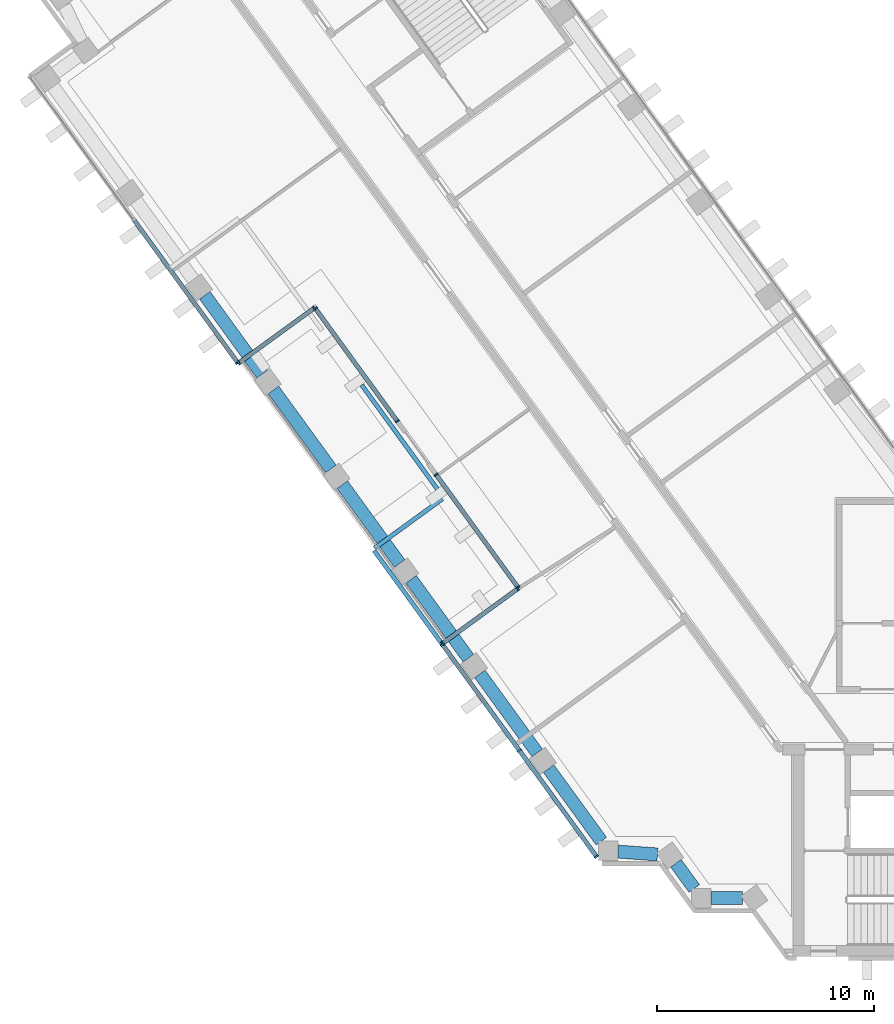
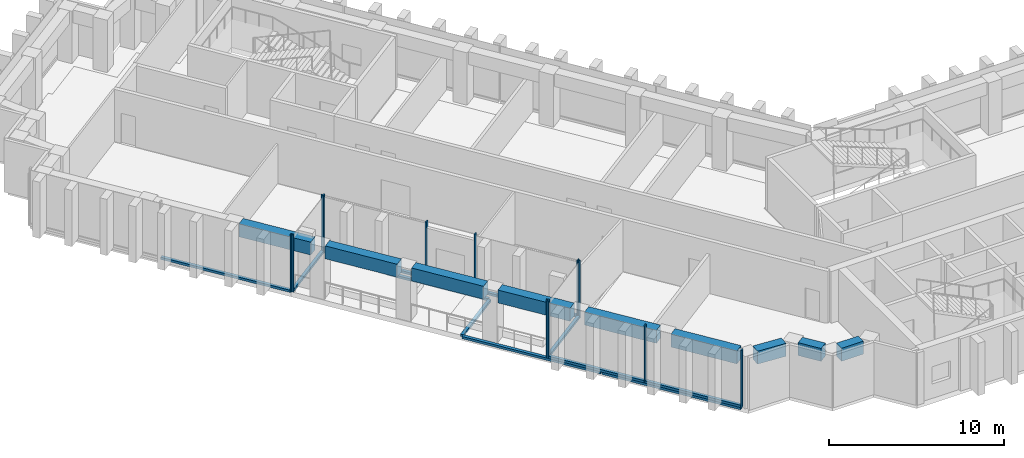
"""IFC4 building model written with IfcOpenShell, lengths in metres."""

import ifcopenshell
import ifcopenshell.guid

model = None  # the IFC model being written
_history = None  # IfcOwnerHistory: only IFC2X3 demands one
_inside = {}  # id of a spatial element -> (the spatial element, [elements in it])
_under = {}  # id of a project, library or spatial element -> (it, [spatial elements below it])
_declared = {}  # id of a project -> (the project, [libraries it declares])
_typed = {}  # id of a type object -> (the type object, [elements of that type])
_made_of = {}  # id of a material, layer set ... -> (it, [elements and type objects made of it])


def new_model(schema):
    """Start an empty IFC model of exactly this schema.

    Asked for "IFC4X3", IfcOpenShell would pick the latest addendum, in which some entities
    have other attributes; the version numbers below select the first issue.
    IFC2X3 requires an IfcOwnerHistory on every rooted entity: one is made here for all.
    """
    global model, _history
    if schema == "IFC4X3":
        model = ifcopenshell.file(schema_version=(4, 3, 0, 0))
    else:
        model = ifcopenshell.file(schema=schema)
    _inside.clear()
    _under.clear()
    _declared.clear()
    _typed.clear()
    _made_of.clear()
    _history = None
    if model.schema == "IFC2X3":
        org = make("IfcOrganization", Name="unknown")
        user = make(
            "IfcPersonAndOrganization",
            ThePerson=make("IfcPerson", FamilyName="unknown"),
            TheOrganization=org,
        )
        app = make(
            "IfcApplication",
            ApplicationDeveloper=org,
            Version="unknown",
            ApplicationFullName="unknown",
            ApplicationIdentifier="unknown",
        )
        _history = make(
            "IfcOwnerHistory",
            OwningUser=user,
            OwningApplication=app,
            ChangeAction="ADDED",
            CreationDate=0,
        )
    return model


def make(cls, **values):
    """One entity of the class cls with the attributes given. An attribute that is None is left unset."""
    return model.create_entity(
        cls, **{name: value for name, value in values.items() if value is not None}
    )


def rooted(cls, **values):
    """An entity with a GlobalId (a new one), such as an element, a storey or a relation."""
    return make(cls, GlobalId=ifcopenshell.guid.new(), OwnerHistory=_history, **values)


def si_unit(unit_type, name, prefix=None):
    """IfcSIUnit, for example si_unit("LENGTHUNIT", "METRE", prefix="MILLI")."""
    return make("IfcSIUnit", UnitType=unit_type, Prefix=prefix, Name=name)


def assignment(units):
    """IfcUnitAssignment: the units of a project."""
    return None if units is None else make("IfcUnitAssignment", Units=units)


def point(xyz):
    """IfcCartesianPoint."""
    return None if xyz is None else make("IfcCartesianPoint", Coordinates=xyz)


def direction(xyz):
    """IfcDirection."""
    return None if xyz is None else make("IfcDirection", DirectionRatios=xyz)


def frame(location, z_axis=None, x_axis=None):
    """IfcAxis2Placement3D, a coordinate frame: its origin and axes. An axis left out is left unset."""
    return make(
        "IfcAxis2Placement3D",
        Location=point(location),
        Axis=direction(z_axis),
        RefDirection=direction(x_axis),
    )


def frame_2d(location, x_axis=None):
    """IfcAxis2Placement2D, a coordinate frame in the plane: its origin and x axis."""
    return make(
        "IfcAxis2Placement2D", Location=point(location), RefDirection=direction(x_axis)
    )


def origin():
    """The frame at (0, 0, 0) with its axes left unset."""
    return frame((0.0, 0.0, 0.0))


def origin_2d():
    """The frame at (0, 0) in the plane with its x axis left unset."""
    return frame_2d((0.0, 0.0))


def place(relative_to, where):
    """IfcLocalPlacement: puts the frame where relative to a parent placement (None: the world)."""
    return make(
        "IfcLocalPlacement", PlacementRelTo=relative_to, RelativePlacement=where
    )


def context(
    kind, dimensions, precision=None, world=None, true_north=None, identifier=None
):
    """IfcGeometricRepresentationContext, for example the 3D "Model" context."""
    return make(
        "IfcGeometricRepresentationContext",
        ContextIdentifier=identifier,
        ContextType=kind,
        CoordinateSpaceDimension=dimensions,
        Precision=precision,
        WorldCoordinateSystem=world,
        TrueNorth=true_north,
    )


def subcontext(parent, identifier, kind, view, scale=None):
    """IfcGeometricRepresentationSubContext, for example "Body" below "Model"."""
    return make(
        "IfcGeometricRepresentationSubContext",
        ContextIdentifier=identifier,
        ContextType=kind,
        ParentContext=parent,
        TargetScale=scale,
        TargetView=view,
    )


def project(units=None, contexts=None):
    """IfcProject with its units and contexts."""
    return rooted(
        "IfcProject",
        Name="project",
        RepresentationContexts=contexts,
        UnitsInContext=assignment(units),
    )


def spatial(cls, under=None, at=None, **own):
    """A site, building, storey or space (cls), placed at a placement, below another one or the project."""
    s = rooted(cls, ObjectPlacement=at, **own)
    if under is not None:
        _under.setdefault(under.id(), (under, []))[1].append(s)
    return s


def profile(cls, at=None, kind="AREA", **sizes):
    """A parametric profile (cls). Its sizes go by their IFC names, for example OverallWidth=200.0."""
    return make(cls, ProfileType=kind, Position=at, **sizes)


def rectangle(**sizes):
    """IfcRectangleProfileDef."""
    return profile("IfcRectangleProfileDef", **sizes)


def extrude(swept, where, along, depth):
    """IfcExtrudedAreaSolid: the profile swept, set in the frame where, extruded along a direction by depth."""
    return make(
        "IfcExtrudedAreaSolid",
        SweptArea=swept,
        Position=where,
        ExtrudedDirection=direction(along),
        Depth=depth,
    )


def shape(context_of_items, identifier, shape_type, items):
    """IfcShapeRepresentation: the items that make up one representation, for example the "Body"."""
    return make(
        "IfcShapeRepresentation",
        ContextOfItems=context_of_items,
        RepresentationIdentifier=identifier,
        RepresentationType=shape_type,
        Items=items,
    )


def material(Name=None, Category=None):
    """IfcMaterial."""
    return make("IfcMaterial", Name=Name, Category=Category)


def material_profile(
    of_material, cross_section, Name=None, Category=None, Priority=None
):
    """IfcMaterialProfile: a cross section and its material."""
    return make(
        "IfcMaterialProfile",
        Name=Name,
        Material=of_material,
        Profile=cross_section,
        Priority=Priority,
        Category=Category,
    )


def profile_set(profiles, Name=None, composite=None):
    """IfcMaterialProfileSet."""
    return make(
        "IfcMaterialProfileSet",
        Name=Name,
        MaterialProfiles=profiles,
        CompositeProfile=composite,
    )


def made_of(thing, what):
    """Note that an element or type object is made of a material, layer set ...; save() writes the relation."""
    if what is not None:
        _made_of.setdefault(what.id(), (what, []))[1].append(thing)
    return thing


def type_object(cls, material=None, **own):
    """A type object (cls), such as IfcWallType, which elements share."""
    return made_of(rooted(cls, **own), material)


def element(
    cls,
    number,
    at=None,
    inside=None,
    cuts=None,
    type_object=None,
    material=None,
    context=None,
    identifier="Body",
    shape_type=None,
    held_by="IfcProductDefinitionShape",
    body=None,
    shapes=None,
    **own,
):
    """One element of the class cls, such as IfcWall. Its Tag is "e" and its number.

    at: its placement. inside: the storey or other place that contains it. cuts: it is an
    opening in that element (IfcRelVoidsElement). A single representation is given by context,
    identifier, shape_type and body (its items); several are given by shapes. held_by: the class
    of the entity that holds the representations. save() writes the other relations.
    """
    e = rooted(cls, Tag="e%d" % number, ObjectPlacement=at, **own)
    if body is not None:
        shapes = [shape(context, identifier, shape_type, body)]
    if shapes is not None:
        e.Representation = make(held_by, Representations=shapes)
    if inside is not None:
        _inside.setdefault(inside.id(), (inside, []))[1].append(e)
    if cuts is not None:
        rooted(
            "IfcRelVoidsElement", RelatingBuildingElement=cuts, RelatedOpeningElement=e
        )
    if type_object is not None:
        _typed.setdefault(type_object.id(), (type_object, []))[1].append(e)
    return made_of(e, material)


def aggregate(whole, parts):
    """IfcRelAggregates: a whole, such as a stair, and the parts it consists of."""
    return rooted("IfcRelAggregates", RelatingObject=whole, RelatedObjects=parts)


def save(model, path):
    """Write the relations noted so far, then the file.

    IfcRelAggregates (storeys below a building ...), IfcRelContainedInSpatialStructure (elements
    in a storey), IfcRelDefinesByType, IfcRelAssociatesMaterial and IfcRelDeclares: one each for
    every whole, place, type object, material and project.
    """
    for whole, parts in _under.values():
        aggregate(whole, parts)
    for where, things in _inside.values():
        rooted(
            "IfcRelContainedInSpatialStructure",
            RelatedElements=things,
            RelatingStructure=where,
        )
    for kind, things in _typed.values():
        rooted("IfcRelDefinesByType", RelatedObjects=things, RelatingType=kind)
    for what, things in _made_of.values():
        rooted("IfcRelAssociatesMaterial", RelatedObjects=things, RelatingMaterial=what)
    for by, libraries in _declared.values():
        rooted("IfcRelDeclares", RelatingContext=by, RelatedDefinitions=libraries)
    model.write(path)


model = new_model("IFC4")

# Units and contexts
model_context = context("Model", 3, precision=1e-05, world=origin(), true_north=direction((0.0, 1.0)))
body_context = subcontext(model_context, "Body", "Model", "MODEL_VIEW")
ifc_project = project(units=[si_unit("LENGTHUNIT", "METRE"), si_unit("AREAUNIT", "SQUARE_METRE"), si_unit("VOLUMEUNIT", "CUBIC_METRE"), si_unit("PLANEANGLEUNIT", "RADIAN"), si_unit("MASSUNIT", "GRAM", prefix="KILO")], contexts=[model_context])

# Site, building, storey
site_placement = place(None, origin())
site = spatial("IfcSite", under=ifc_project, at=site_placement, CompositionType="ELEMENT")
building_placement = place(site_placement, origin())
building = spatial("IfcBuilding", under=site, at=building_placement, Name="Quipu Civic Tower", CompositionType="ELEMENT")
storey_1_placement = place(building_placement, frame((0.0, 0.0, 51.0)))
storey_1 = spatial("IfcBuildingStorey", under=building, at=storey_1_placement, Name="L11", CompositionType="ELEMENT", Elevation=51.0)

# Curtain wall, member
ifc_material_1 = material(Name="Insulated glass unit", Category="glass")
curtain_wall_type = type_object("IfcCurtainWallType", Name="Office curtain wall CW1", PredefinedType="NOTDEFINED", material=ifc_material_1)
curtain_wall_1_placement = place(storey_1_placement, origin())
curtain_wall_1 = element("IfcCurtainWall", 1, at=curtain_wall_1_placement, inside=storey_1, type_object=curtain_wall_type, Name="Office curtain wall CW1 L11 run 1", PredefinedType="NOTDEFINED")
ifc_material_2 = material(Name="Anodised aluminium", Category="aluminium")
ifc_material_profile_1 = material_profile(ifc_material_2, rectangle(XDim=0.199951171875, YDim=0.080078125, at=origin_2d()), Name="RECT 200x80")
ifc_profile_set_1 = profile_set([ifc_material_profile_1], Name="Anodised aluminium")
member_type_1 = type_object("IfcMemberType", Name="Mullion CW1", PredefinedType="MULLION", material=ifc_profile_set_1)
member_1_placement = place(storey_1_placement, frame((-45.637939453125, 16.403076171875, 0.080078125), z_axis=(0.0, 0.0, 1.0), x_axis=(0.809016809019, 0.587785507413, 0.0)))
member_1 = element("IfcMember", 2, at=member_1_placement, type_object=member_type_1, Name="CW1 mullion 3", PredefinedType="MULLION", context=body_context, shape_type="SweptSolid", body=[
    extrude(rectangle(XDim=0.199951171875, YDim=0.080078125, at=origin_2d()), origin(), (0.0, 0.0, 1.0), 4.0),
])

# Curtain wall, members
curtain_wall_2_placement = place(storey_1_placement, origin())
curtain_wall_2 = element("IfcCurtainWall", 3, at=curtain_wall_2_placement, inside=storey_1, type_object=curtain_wall_type, Name="Office curtain wall CW1 L11 run 2", PredefinedType="NOTDEFINED")
member_2_placement = place(storey_1_placement, frame((-45.58203125, 16.394287109375, 0.080078125), z_axis=(0.0, 0.0, 1.0), x_axis=(-0.587786703913, 0.809015939709, 0.0)))
member_2 = element("IfcMember", 4, at=member_2_placement, type_object=member_type_1, Name="CW1 mullion 1", PredefinedType="MULLION", context=body_context, shape_type="SweptSolid", body=[
    extrude(rectangle(XDim=0.199951171875, YDim=0.080078125, at=origin_2d()), origin(), (0.0, 0.0, 1.0), 4.0),
])
member_3_placement = place(storey_1_placement, frame((-42.110107421875, 18.916748046875, 0.080078125), z_axis=(0.0, 0.0, 1.0), x_axis=(-0.587786703913, 0.809015939709, 0.0)))
member_3 = element("IfcMember", 5, at=member_3_placement, type_object=member_type_1, Name="CW1 mullion 2", PredefinedType="MULLION", context=body_context, shape_type="SweptSolid", body=[
    extrude(rectangle(XDim=0.199951171875, YDim=0.080078125, at=origin_2d()), origin(), (0.0, 0.0, 1.0), 4.0),
])

curtain_wall_3_placement = place(storey_1_placement, origin())
curtain_wall_3 = element("IfcCurtainWall", 6, at=curtain_wall_3_placement, inside=storey_1, type_object=curtain_wall_type, Name="Office curtain wall CW1 L11 run 3", PredefinedType="NOTDEFINED")
member_4_placement = place(storey_1_placement, frame((-42.05419921875, 18.907958984375, 0.080078125), z_axis=(0.0, 0.0, 1.0), x_axis=(0.809015295486, 0.587787590606, 0.0)))
member_4 = element("IfcMember", 7, at=member_4_placement, type_object=member_type_1, Name="CW1 mullion 1", PredefinedType="MULLION", context=body_context, shape_type="SweptSolid", body=[
    extrude(rectangle(XDim=0.199951171875, YDim=0.080078125, at=origin_2d()), origin(), (0.0, 0.0, 1.0), 4.0),
])
member_5_placement = place(storey_1_placement, frame((-38.27001953125, 13.69921875, 0.080078125), z_axis=(0.0, 0.0, 1.0), x_axis=(0.809015295486, 0.587787590606, 0.0)))
member_5 = element("IfcMember", 8, at=member_5_placement, type_object=member_type_1, Name="CW1 mullion 2", PredefinedType="MULLION", context=body_context, shape_type="SweptSolid", body=[
    extrude(rectangle(XDim=0.199951171875, YDim=0.080078125, at=origin_2d()), origin(), (0.0, 0.0, 1.0), 4.0),
])

curtain_wall_4_placement = place(storey_1_placement, origin())
curtain_wall_4 = element("IfcCurtainWall", 9, at=curtain_wall_4_placement, inside=storey_1, type_object=curtain_wall_type, Name="Office curtain wall CW1 L11 run 5", PredefinedType="NOTDEFINED")
member_6_placement = place(storey_1_placement, frame((-36.4814453125, 11.237548828125, 0.080078125), z_axis=(0.0, 0.0, 1.0), x_axis=(0.8090179163, 0.587783983369, 0.0)))
member_6 = element("IfcMember", 10, at=member_6_placement, type_object=member_type_1, Name="CW1 mullion 1", PredefinedType="MULLION", context=body_context, shape_type="SweptSolid", body=[
    extrude(rectangle(XDim=0.199951171875, YDim=0.080078125, at=origin_2d()), origin(), (0.0, 0.0, 1.0), 4.0),
])
member_7_placement = place(storey_1_placement, frame((-32.69677734375, 6.0283203125, 0.080078125), z_axis=(0.0, 0.0, 1.0), x_axis=(0.8090179163, 0.587783983369, 0.0)))
member_7 = element("IfcMember", 11, at=member_7_placement, type_object=member_type_1, Name="CW1 mullion 2", PredefinedType="MULLION", context=body_context, shape_type="SweptSolid", body=[
    extrude(rectangle(XDim=0.199951171875, YDim=0.080078125, at=origin_2d()), origin(), (0.0, 0.0, 1.0), 4.0),
])

curtain_wall_5_placement = place(storey_1_placement, origin())
curtain_wall_5 = element("IfcCurtainWall", 12, at=curtain_wall_5_placement, inside=storey_1, type_object=curtain_wall_type, Name="Office curtain wall CW1 L11 run 6", PredefinedType="NOTDEFINED")
member_8_placement = place(storey_1_placement, frame((-32.70556640625, 5.972412109375, 0.080078125), z_axis=(0.0, 0.0, 1.0), x_axis=(0.587771731425, -0.809026817687, 0.0)))
member_8 = element("IfcMember", 13, at=member_8_placement, type_object=member_type_1, Name="CW1 mullion 1", PredefinedType="MULLION", context=body_context, shape_type="SweptSolid", body=[
    extrude(rectangle(XDim=0.199951171875, YDim=0.080078125, at=origin_2d()), origin(), (0.0, 0.0, 1.0), 4.0),
])
member_9_placement = place(storey_1_placement, frame((-36.177490234375, 3.449951171875, 0.080078125), z_axis=(0.0, 0.0, 1.0), x_axis=(0.587771731425, -0.809026817687, 0.0)))
member_9 = element("IfcMember", 14, at=member_9_placement, type_object=member_type_1, Name="CW1 mullion 2", PredefinedType="MULLION", context=body_context, shape_type="SweptSolid", body=[
    extrude(rectangle(XDim=0.199951171875, YDim=0.080078125, at=origin_2d()), origin(), (0.0, 0.0, 1.0), 4.0),
])

curtain_wall_6_placement = place(storey_1_placement, origin())
curtain_wall_6 = element("IfcCurtainWall", 15, at=curtain_wall_6_placement, inside=storey_1, type_object=curtain_wall_type, Name="Office curtain wall CW1 L11 run 7", PredefinedType="NOTDEFINED")
member_10_placement = place(storey_1_placement, frame((-36.186279296875, 3.39404296875, 0.080078125), z_axis=(0.0, 0.0, 1.0), x_axis=(0.80901596512, 0.587786668938, 0.0)))
member_10 = element("IfcMember", 16, at=member_10_placement, type_object=member_type_1, Name="CW1 mullion 1", PredefinedType="MULLION", context=body_context, shape_type="SweptSolid", body=[
    extrude(rectangle(XDim=0.199951171875, YDim=0.080078125, at=origin_2d()), origin(), (0.0, 0.0, 1.0), 4.0),
])
member_11_placement = place(storey_1_placement, frame((-32.6328125, -1.496826171875, 0.080078125), z_axis=(0.0, 0.0, 1.0), x_axis=(0.80901596512, 0.587786668938, 0.0)))
member_11 = element("IfcMember", 17, at=member_11_placement, type_object=member_type_1, Name="CW1 mullion 2", PredefinedType="MULLION", context=body_context, shape_type="SweptSolid", body=[
    extrude(rectangle(XDim=0.199951171875, YDim=0.080078125, at=origin_2d()), origin(), (0.0, 0.0, 1.0), 4.0),
])
member_12_placement = place(storey_1_placement, frame((-29.079345703125, -6.3876953125, 0.080078125), z_axis=(0.0, 0.0, 1.0), x_axis=(0.80901596512, 0.587786668938, 0.0)))
member_12 = element("IfcMember", 18, at=member_12_placement, type_object=member_type_1, Name="CW1 mullion 3", PredefinedType="MULLION", context=body_context, shape_type="SweptSolid", body=[
    extrude(rectangle(XDim=0.199951171875, YDim=0.080078125, at=origin_2d()), origin(), (0.0, 0.0, 1.0), 4.0),
])

# Beams
ifc_material_3 = material(Name="Concrete C50/60", Category="concrete")
ifc_material_profile_2 = material_profile(ifc_material_3, rectangle(XDim=0.60009765625, YDim=0.89990234375, at=origin_2d()), Name="RC600x900")
ifc_profile_set_2 = profile_set([ifc_material_profile_2], Name="Concrete C50/60")
beam_type = type_object("IfcBeamType", Name="Spandrel beam RC 600x900 C50/60", PredefinedType="SPANDREL", material=ifc_profile_set_2)
beam_1_placement = place(storey_1_placement, frame((-47.15380859375, 19.5107421875, 3.199951171875), z_axis=(0.587803872688, -0.809003465539, 0.0), x_axis=(0.809003465539, 0.587803872688, 0.0)))
element("IfcBeam", 19, at=beam_1_placement, inside=storey_1, type_object=beam_type, Name="Spandrel beam L11 W-OUT-06 to W-OUT-05", PredefinedType="SPANDREL", context=body_context, shape_type="SweptSolid", body=[
    extrude(rectangle(XDim=0.60009765625, YDim=0.89990234375, at=origin_2d()), origin(), (0.0, 0.0, 1.0), 4.499755859375),
])
for number, where, z_axis, x_axis, name in (
    (20, (-43.97998046875, 15.14208984375, 3.199951171875), (0.587778073121, -0.809022210299, 0.0), (0.809022210299, 0.587778073121, 0.0), "Spandrel beam L11 W-OUT-05 to W-OUT-04"),
    (21, (-40.805908203125, 10.7734375, 3.199951171875), (0.587778073121, -0.809022210299, 0.0), (0.809022210299, 0.587778073121, 0.0), "Spandrel beam L11 W-OUT-04 to W-OUT-03"),
):
    element("IfcBeam", number, at=place(storey_1_placement, frame(where, z_axis=z_axis, x_axis=x_axis)), inside=storey_1, type_object=beam_type, Name=name, PredefinedType="SPANDREL", context=body_context, shape_type="SweptSolid", body=[
        extrude(rectangle(XDim=0.60009765625, YDim=0.89990234375, at=origin_2d()), origin(), (0.0, 0.0, 1.0), 4.5),
    ])
beam_2_placement = place(storey_1_placement, frame((-37.6318359375, 6.404541015625, 3.199951171875), z_axis=(0.587803872688, -0.809003465539, 0.0), x_axis=(0.809003465539, 0.587803872688, 0.0)))
element("IfcBeam", 22, at=beam_2_placement, inside=storey_1, type_object=beam_type, Name="Spandrel beam L11 W-OUT-03 to W-OUT-02", PredefinedType="SPANDREL", context=body_context, shape_type="SweptSolid", body=[
    extrude(rectangle(XDim=0.60009765625, YDim=0.89990234375, at=origin_2d()), origin(), (0.0, 0.0, 1.0), 4.499755859375),
])
beam_3_placement = place(storey_1_placement, frame((-34.457763671875, 2.035888671875, 3.199951171875), z_axis=(0.587778073121, -0.809022210299, 0.0), x_axis=(0.809022210299, 0.587778073121, 0.0)))
element("IfcBeam", 23, at=beam_3_placement, inside=storey_1, type_object=beam_type, Name="Spandrel beam L11 W-OUT-02 to W-OUT-01", PredefinedType="SPANDREL", context=body_context, shape_type="SweptSolid", body=[
    extrude(rectangle(XDim=0.60009765625, YDim=0.89990234375, at=origin_2d()), origin(), (0.0, 0.0, 1.0), 4.5),
])
beam_4_placement = place(storey_1_placement, frame((-31.28369140625, -2.332763671875, 3.199951171875), z_axis=(0.587750565781, -0.809042194464, 0.0), x_axis=(0.809042194464, 0.587750565781, 0.0)))
element("IfcBeam", 24, at=beam_4_placement, inside=storey_1, type_object=beam_type, Name="Spandrel beam L11 W-OUT-01 to J-Wo.0", PredefinedType="SPANDREL", context=body_context, shape_type="SweptSolid", body=[
    extrude(rectangle(XDim=0.60009765625, YDim=0.89990234375, at=origin_2d()), origin(), (0.0, 0.0, 1.0), 4.13720703125),
])
beam_5_placement = place(storey_1_placement, frame((-28.074951171875, -6.16259765625, 3.199951171875), z_axis=(0.997367229877, -0.072516265536, 0.0), x_axis=(0.072516265536, 0.997367229877, 0.0)))
element("IfcBeam", 25, at=beam_5_placement, inside=storey_1, type_object=beam_type, Name="Spandrel beam L11 J-Wo.0 to J-Wo.1", PredefinedType="SPANDREL", context=body_context, shape_type="SweptSolid", body=[
    extrude(rectangle(XDim=0.60009765625, YDim=0.89990234375, at=origin_2d()), origin(), (0.0, 0.0, 1.0), 1.818115234375),
])
beam_6_placement = place(storey_1_placement, frame((-25.40966796875, -6.700927734375, 3.199951171875), z_axis=(0.588433824377, -0.808545381738, 0.0), x_axis=(0.808545381738, 0.588433824377, 0.0)))
element("IfcBeam", 26, at=beam_6_placement, inside=storey_1, type_object=beam_type, Name="Spandrel beam L11 J-Wo.1 to J-Wo.2", PredefinedType="SPANDREL", context=body_context, shape_type="SweptSolid", body=[
    extrude(rectangle(XDim=0.60009765625, YDim=0.89990234375, at=origin_2d()), origin(), (0.0, 0.0, 1.0), 1.439697265625),
])
beam_7_placement = place(storey_1_placement, frame((-23.784912109375, -8.31494140625, 3.199951171875), z_axis=(1.0, 0.0, 0.0), x_axis=(0.0, 1.0, 0.0)))
element("IfcBeam", 27, at=beam_7_placement, inside=storey_1, type_object=beam_type, Name="Spandrel beam L11 J-Wo.2 to J-Wo.3", PredefinedType="SPANDREL", context=body_context, shape_type="SweptSolid", body=[
    extrude(rectangle(XDim=0.60009765625, YDim=0.89990234375, at=origin_2d()), origin(), (0.0, 0.0, 1.0), 1.436767578125),
])

# Storey
storey_2_placement = place(building_placement, frame((0.0, 0.0, 47.0)))
storey_2 = spatial("IfcBuildingStorey", under=building, at=storey_2_placement, Name="L10", CompositionType="ELEMENT", Elevation=47.0)

# Curtain wall, member
curtain_wall_7_placement = place(storey_2_placement, origin())
curtain_wall_7 = element("IfcCurtainWall", 28, at=curtain_wall_7_placement, inside=storey_2, type_object=curtain_wall_type, Name="Office curtain wall CW1 L10 run 5", PredefinedType="NOTDEFINED")
ifc_material_4 = material(Name="Anodised aluminium", Category="aluminium")
ifc_material_profile_3 = material_profile(ifc_material_4, rectangle(XDim=0.199951171875, YDim=0.159912109375, at=origin_2d()), Name="RECT 200x160")
ifc_profile_set_3 = profile_set([ifc_material_profile_3], Name="Anodised aluminium")
member_type_2 = type_object("IfcMemberType", Name="Transom CW1", PredefinedType="USERDEFINED", material=ifc_profile_set_3)
member_13_placement = place(storey_1_placement, frame((-39.9091796875, 15.371826171875, 0.0), z_axis=(0.587804073239, -0.809003319822, 0.0), x_axis=(0.809003319822, 0.587804073239, 0.0)))
member_13 = element("IfcMember", 29, at=member_13_placement, inside=storey_1, type_object=member_type_2, Name="CW1 transom 1.2", ObjectType="TRANSOM", PredefinedType="USERDEFINED", context=body_context, shape_type="SweptSolid", body=[
    extrude(rectangle(XDim=0.199951171875, YDim=0.159912109375, at=origin_2d()), origin(), (0.0, 0.0, 1.0), 6.3583984375),
])
aggregate(curtain_wall_7, [member_13])

curtain_wall_8_placement = place(storey_2_placement, origin())
curtain_wall_8 = element("IfcCurtainWall", 30, at=curtain_wall_8_placement, inside=storey_2, type_object=curtain_wall_type, Name="Office curtain wall CW1 L10 run 6", PredefinedType="NOTDEFINED")
member_14_placement = place(storey_1_placement, frame((-36.189453125, 10.115966796875, 0.0), z_axis=(-0.809033460399, -0.587762588087, 0.0), x_axis=(0.587762588087, -0.809033460399, 0.0)))
member_14 = element("IfcMember", 31, at=member_14_placement, inside=storey_1, type_object=member_type_2, Name="CW1 transom 1.2", ObjectType="TRANSOM", PredefinedType="USERDEFINED", context=body_context, shape_type="SweptSolid", body=[
    extrude(rectangle(XDim=0.199951171875, YDim=0.159912109375, at=origin_2d()), origin(), (0.0, 0.0, 1.0), 3.868408203125),
])
aggregate(curtain_wall_8, [member_14])

# Curtain wall, members
curtain_wall_9_placement = place(storey_2_placement, origin())
curtain_wall_9 = element("IfcCurtainWall", 32, at=curtain_wall_9_placement, inside=storey_2, type_object=curtain_wall_type, Name="Office curtain wall CW1 L10 run 7", PredefinedType="NOTDEFINED")
member_15_placement = place(storey_1_placement, frame((-39.3369140625, 7.73046875, 0.0), z_axis=(0.587791361613, -0.809012555659, 0.0), x_axis=(0.809012555659, 0.587791361613, 0.0)))
member_15 = element("IfcMember", 33, at=member_15_placement, inside=storey_1, type_object=member_type_2, Name="CW1 transom 1.2", ObjectType="TRANSOM", PredefinedType="USERDEFINED", context=body_context, shape_type="SweptSolid", body=[
    extrude(rectangle(XDim=0.199951171875, YDim=0.159912109375, at=origin_2d()), origin(), (0.0, 0.0, 1.0), 8.66552734375),
])
member_16_placement = place(storey_1_placement, frame((-34.1962890625, 0.6552734375, 0.0), z_axis=(0.587759523989, -0.809035686457, 0.0), x_axis=(0.809035686457, 0.587759523989, 0.0)))
member_16 = element("IfcMember", 34, at=member_16_placement, inside=storey_1, type_object=member_type_2, Name="CW1 transom 2.2", ObjectType="TRANSOM", PredefinedType="USERDEFINED", context=body_context, shape_type="SweptSolid", body=[
    extrude(rectangle(XDim=0.199951171875, YDim=0.159912109375, at=origin_2d()), origin(), (0.0, 0.0, 1.0), 8.66552734375),
])
aggregate(curtain_wall_9, [member_15, member_16])

# Member
member_17_placement = place(storey_1_placement, frame((-50.41064453125, 22.97216796875, 0.159912109375), z_axis=(0.587781767955, -0.809019525883, 0.0), x_axis=(0.809019525883, 0.587781767955, 0.0)))
member_17 = element("IfcMember", 35, at=member_17_placement, type_object=member_type_2, Name="CW1 transom 2.1", ObjectType="TRANSOM", PredefinedType="USERDEFINED", context=body_context, shape_type="SweptSolid", body=[
    extrude(rectangle(XDim=0.199951171875, YDim=0.159912109375, at=origin_2d()), origin(), (0.0, 0.0, 1.0), 8.080078125),
])

aggregate(curtain_wall_1, [member_1, member_17])

member_18_placement = place(storey_1_placement, frame((-45.549560546875, 16.417724609375, 0.159912109375), z_axis=(0.809014264553, 0.587789009552, 0.0), x_axis=(-0.587789009552, 0.809014264553, 0.0)))
member_18 = element("IfcMember", 36, at=member_18_placement, type_object=member_type_2, Name="CW1 transom 1.1", ObjectType="TRANSOM", PredefinedType="USERDEFINED", context=body_context, shape_type="SweptSolid", body=[
    extrude(rectangle(XDim=0.199951171875, YDim=0.159912109375, at=origin_2d()), origin(), (0.0, 0.0, 1.0), 4.211181640625),
])

aggregate(curtain_wall_2, [member_2, member_3, member_18])

member_19_placement = place(storey_1_placement, frame((-42.03076171875, 18.87548828125, 0.159912109375), z_axis=(0.587797201853, -0.809008312376, 0.0), x_axis=(0.809008312376, 0.587797201853, 0.0)))
member_19 = element("IfcMember", 37, at=member_19_placement, type_object=member_type_2, Name="CW1 transom 1.1", ObjectType="TRANSOM", PredefinedType="USERDEFINED", context=body_context, shape_type="SweptSolid", body=[
    extrude(rectangle(XDim=0.199951171875, YDim=0.159912109375, at=origin_2d()), origin(), (0.0, 0.0, 1.0), 6.358154296875),
])

aggregate(curtain_wall_3, [member_4, member_5, member_19])

member_20_placement = place(storey_1_placement, frame((-36.4580078125, 11.205078125, 0.159912109375), z_axis=(0.587792686492, -0.809011593061, 0.0), x_axis=(0.809011593061, 0.587792686492, 0.0)))
member_20 = element("IfcMember", 38, at=member_20_placement, type_object=member_type_2, Name="CW1 transom 1.1", ObjectType="TRANSOM", PredefinedType="USERDEFINED", context=body_context, shape_type="SweptSolid", body=[
    extrude(rectangle(XDim=0.199951171875, YDim=0.159912109375, at=origin_2d()), origin(), (0.0, 0.0, 1.0), 6.359130859375),
])

aggregate(curtain_wall_4, [member_6, member_7, member_20])

member_21_placement = place(storey_1_placement, frame((-32.738037109375, 5.948974609375, 0.159912109375), z_axis=(-0.809034292605, -0.587761442585, 0.0), x_axis=(0.587761442585, -0.809034292605, 0.0)))
member_21 = element("IfcMember", 39, at=member_21_placement, type_object=member_type_2, Name="CW1 transom 1.1", ObjectType="TRANSOM", PredefinedType="USERDEFINED", context=body_context, shape_type="SweptSolid", body=[
    extrude(rectangle(XDim=0.199951171875, YDim=0.159912109375, at=origin_2d()), origin(), (0.0, 0.0, 1.0), 4.21142578125),
])

aggregate(curtain_wall_5, [member_8, member_9, member_21])

member_22_placement = place(storey_1_placement, frame((-36.162841796875, 3.36181640625, 0.159912109375), z_axis=(0.587777412076, -0.809022690567, 0.0), x_axis=(0.809022690567, 0.587777412076, 0.0)))
member_22 = element("IfcMember", 40, at=member_22_placement, type_object=member_type_2, Name="CW1 transom 1.1", ObjectType="TRANSOM", PredefinedType="USERDEFINED", context=body_context, shape_type="SweptSolid", body=[
    extrude(rectangle(XDim=0.199951171875, YDim=0.159912109375, at=origin_2d()), origin(), (0.0, 0.0, 1.0), 5.96533203125),
])

member_23_placement = place(storey_1_placement, frame((-32.609375, -1.529052734375, 0.159912109375), z_axis=(0.587757951263, -0.80903682903, 0.0), x_axis=(0.80903682903, 0.587757951263, 0.0)))
member_23 = element("IfcMember", 41, at=member_23_placement, type_object=member_type_2, Name="CW1 transom 2.1", ObjectType="TRANSOM", PredefinedType="USERDEFINED", context=body_context, shape_type="SweptSolid", body=[
    extrude(rectangle(XDim=0.199951171875, YDim=0.159912109375, at=origin_2d()), origin(), (0.0, 0.0, 1.0), 5.965576171875),
])

aggregate(curtain_wall_6, [member_10, member_11, member_12, member_22, member_23])

save(model, "model.ifc")
